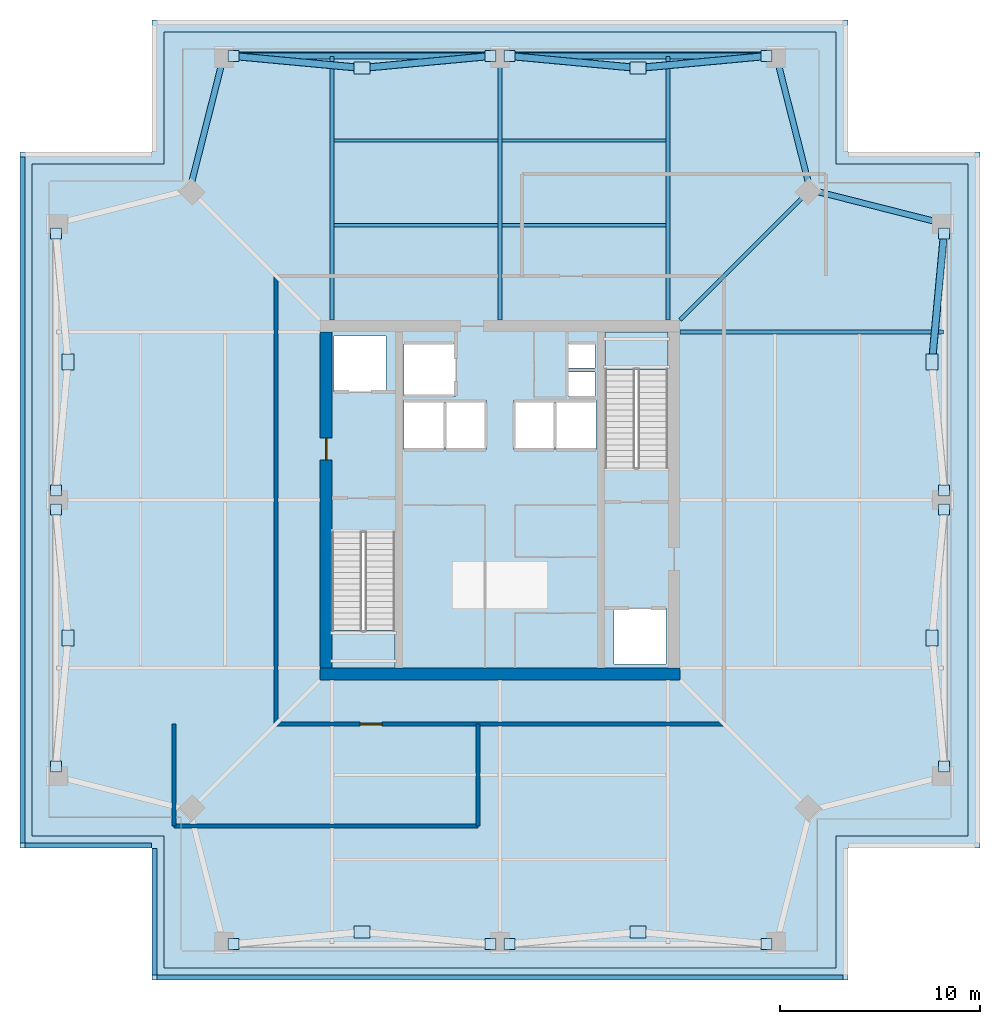
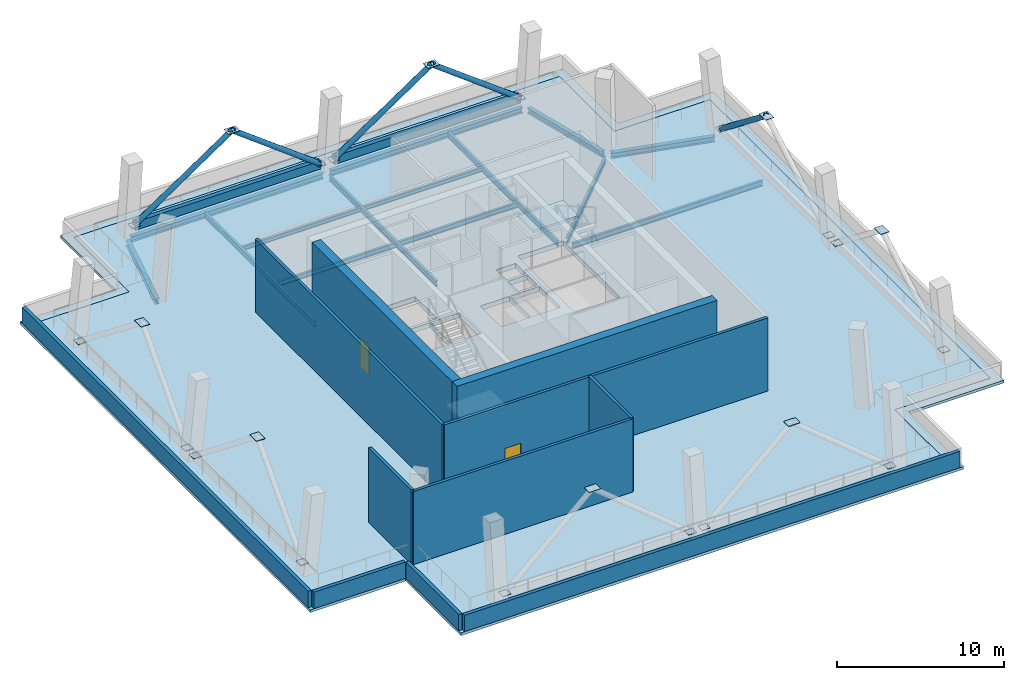
# One storey, part 2 of 7: 24 plates, 16 beams, 11 walls, 5 members, 4 slabs, 2 doors, 2 openings, 2 elements without a shape of their own.
"""IFC4 building model written with IfcOpenShell, lengths in metres."""

from ifc_helpers import new_model, si_unit, direction, frame, frame_2d, origin, origin_2d, place, context, subcontext, project, spatial, polyline, rectangle, hollow_rectangle, hollow_circle, i_section, outline, extrude, material, layer, layer_set, material_profile, profile_set, type_object, element, fill, aggregate, save


model = new_model("IFC4")

# Units and contexts
model_context = context("Model", 3, precision=1e-05, world=origin(), true_north=direction((0.0, 1.0)))
body_context = subcontext(model_context, "Body", "Model", "MODEL_VIEW")
ifc_project = project(units=[si_unit("LENGTHUNIT", "METRE"), si_unit("AREAUNIT", "SQUARE_METRE"), si_unit("VOLUMEUNIT", "CUBIC_METRE"), si_unit("PLANEANGLEUNIT", "RADIAN"), si_unit("MASSUNIT", "GRAM", prefix="KILO")], contexts=[model_context])

# Site, building, storey
site_placement = place(None, origin())
site = spatial("IfcSite", under=ifc_project, at=site_placement, CompositionType="ELEMENT")
building_placement = place(site_placement, origin())
building = spatial("IfcBuilding", under=site, at=building_placement, Name="Belovzor Exchange Tower", CompositionType="ELEMENT")
storey_placement = place(building_placement, frame((0.0, 0.0, 289.5)))
storey = spatial("IfcBuildingStorey", under=building, at=storey_placement, Name="L72", CompositionType="ELEMENT", Elevation=289.5)

# Beams
ifc_material_1 = material(Name="Steel S355", Category="steel")
ifc_material_profile_1 = material_profile(ifc_material_1, i_section(OverallWidth=0.169921875, OverallDepth=0.360107421875, WebThickness=0.008056640625, FlangeThickness=0.0126953125, at=origin_2d()))
ifc_profile_set_1 = profile_set([ifc_material_profile_1], Name="Steel S355")
beam_type_1 = type_object("IfcBeamType", Name="Secondary Infill Floor Joist IPE 360", PredefinedType="BEAM", material=ifc_profile_set_1)
beam_1_placement = place(storey_placement, frame((20.489990234375, 42.547119140625, -0.530029296875), z_axis=(1.0, 0.0, 0.0), x_axis=(0.0, 1.0, 0.0)))
element("IfcBeam", 1, at=beam_1_placement, inside=storey, type_object=beam_type_1, Name="FJ-360 Secondary Infill Floor Joist IPE 360", PredefinedType="BEAM", context=body_context, shape_type="SweptSolid", body=[
    extrude(i_section(OverallWidth=0.169921875, OverallDepth=0.360107421875, WebThickness=0.008056640625, FlangeThickness=0.0126953125, at=origin_2d()), origin(), (0.0, 0.0, 1.0), 8.219970703125),
])
beam_2_placement = place(storey_placement, frame((28.889892578125, 42.547119140625, -0.530029296875), z_axis=(1.0, 0.0, 0.0), x_axis=(0.0, 1.0, 0.0)))
element("IfcBeam", 2, at=beam_2_placement, inside=storey, type_object=beam_type_1, Name="FJ-360 Secondary Infill Floor Joist IPE 360", PredefinedType="BEAM", context=body_context, shape_type="SweptSolid", body=[
    extrude(i_section(OverallWidth=0.169921875, OverallDepth=0.360107421875, WebThickness=0.008056640625, FlangeThickness=0.0126953125, at=origin_2d()), origin(), (0.0, 0.0, 1.0), 8.22021484375),
])
ifc_material_2 = material(Name="Steel S355", Category="steel")
ifc_material_profile_2 = material_profile(ifc_material_2, i_section(OverallWidth=0.14990234375, OverallDepth=0.300048828125, WebThickness=0.007080078125, FlangeThickness=0.0107421875, at=origin_2d()))
ifc_profile_set_2 = profile_set([ifc_material_profile_2], Name="Steel S355")
beam_type_2 = type_object("IfcBeamType", Name="Secondary Trim Floor Joist IPE 300", PredefinedType="BEAM", material=ifc_profile_set_2)
beam_3_placement = place(storey_placement, frame((20.489990234375, 46.76611328125, -0.5), z_axis=(1.0, 0.0, 0.0), x_axis=(0.0, 1.0, 0.0)))
element("IfcBeam", 3, at=beam_3_placement, inside=storey, type_object=beam_type_2, Name="FJ-300 Secondary Trim Floor Joist IPE 300", PredefinedType="BEAM", context=body_context, shape_type="SweptSolid", body=[
    extrude(i_section(OverallWidth=0.14990234375, OverallDepth=0.300048828125, WebThickness=0.007080078125, FlangeThickness=0.0107421875, at=origin_2d()), origin(), (0.0, 0.0, 1.0), 8.219970703125),
])
beam_4_placement = place(storey_placement, frame((28.889892578125, 46.76611328125, -0.5), z_axis=(1.0, 0.0, 0.0), x_axis=(0.0, 1.0, 0.0)))
element("IfcBeam", 4, at=beam_4_placement, inside=storey, type_object=beam_type_2, Name="FJ-300 Secondary Trim Floor Joist IPE 300", PredefinedType="BEAM", context=body_context, shape_type="SweptSolid", body=[
    extrude(i_section(OverallWidth=0.14990234375, OverallDepth=0.300048828125, WebThickness=0.007080078125, FlangeThickness=0.0107421875, at=origin_2d()), origin(), (0.0, 0.0, 1.0), 8.22021484375),
])

# Members
ifc_material_3 = material(Name="Steel S355", Category="steel")
ifc_material_profile_3 = material_profile(ifc_material_3, hollow_circle(Radius=0.177734375, WallThickness=0.01611328125, at=origin_2d()))
ifc_profile_set_3 = profile_set([ifc_material_profile_3], Name="Steel S355")
member_type = type_object("IfcMemberType", Name="Wind Portal K-Brace Strut CHS 355.6x16", PredefinedType="BRACE", material=ifc_profile_set_3)
for number, where, z_axis, x_axis, name in (
    (5, (50.39990234375, 35.699951171875, 5.4599609375), (0.073179614077, 0.783510131676, -0.617054793066), (-0.995666579124, 0.092994963388, 0.0), "WB-355 Wind Portal K-Brace Strut CHS 355.6x16"),
    (6, (42.125, 51.0, 0.39990234375), (-0.783510131676, -0.073179614077, 0.617054793066), (0.092994963388, -0.995666579124, 0.0), "WB-355 Wind Portal K-Brace Strut CHS 355.6x16"),
    (7, (35.699951171875, 50.39990234375, 5.4599609375), (-0.783510131676, 0.073179614077, -0.617054793066), (-0.092994963388, -0.995666579124, 0.0), "WB-355 Wind Portal K-Brace Strut CHS 355.6x16"),
    (8, (28.324951171875, 51.0, 0.39990234375), (-0.783510131676, -0.073179614077, 0.617054793066), (0.092994963388, -0.995666579124, 0.0), "WB-355 Wind Portal K-Brace Strut CHS 355.6x16"),
):
    element("IfcMember", number, at=place(storey_placement, frame(where, z_axis=z_axis, x_axis=x_axis)), inside=storey, type_object=member_type, Name=name, PredefinedType="BRACE", context=body_context, shape_type="SweptSolid", body=[
        extrude(hollow_circle(Radius=0.177734375, WallThickness=0.01611328125, at=origin_2d()), origin(), (0.0, 0.0, 1.0), 8.200439453125),
    ])
member_placement = place(storey_placement, frame((21.89990234375, 50.39990234375, 5.4599609375), z_axis=(-0.783498635945, 0.073181321141, -0.617069187133), x_axis=(-0.092998466606, -0.995666251918, 0.0)))
element("IfcMember", 9, at=member_placement, inside=storey, type_object=member_type, Name="WB-355 Wind Portal K-Brace Strut CHS 355.6x16", PredefinedType="BRACE", context=body_context, shape_type="SweptSolid", body=[
    extrude(hollow_circle(Radius=0.177734375, WallThickness=0.01611328125, at=origin_2d()), origin(), (0.0, 0.0, 1.0), 8.2001953125),
])

# Beams
ifc_material_4 = material(Name="Steel S355", Category="steel")
ifc_material_profile_4 = material_profile(ifc_material_4, hollow_rectangle(XDim=0.300048828125, YDim=0.60009765625, WallThickness=0.01611328125, at=origin_2d()))
ifc_profile_set_4 = profile_set([ifc_material_profile_4], Name="Steel S355")
beam_type_3 = type_object("IfcBeamType", Name="Wind Portal Perimeter Ring Beam RHS 600x300x16", PredefinedType="BEAM", material=ifc_profile_set_4)
beam_5_placement = place(storey_placement, frame((42.125, 51.0, 0.39990234375), z_axis=(-1.0, 0.0, 0.0), x_axis=(0.0, -1.0, 0.0)))
element("IfcBeam", 10, at=beam_5_placement, inside=storey, type_object=beam_type_3, Name="WP-600 Wind Portal Perimeter Ring Beam RHS 600x300x16", PredefinedType="BEAM", context=body_context, shape_type="SweptSolid", body=[
    extrude(hollow_rectangle(XDim=0.300048828125, YDim=0.60009765625, WallThickness=0.01611328125, at=origin_2d()), origin(), (0.0, 0.0, 1.0), 12.85009765625),
])
beam_6_placement = place(storey_placement, frame((28.324951171875, 51.0, 0.39990234375), z_axis=(-1.0, 0.0, 0.0), x_axis=(0.0, -1.0, 0.0)))
element("IfcBeam", 11, at=beam_6_placement, inside=storey, type_object=beam_type_3, Name="WP-600 Wind Portal Perimeter Ring Beam RHS 600x300x16", PredefinedType="BEAM", context=body_context, shape_type="SweptSolid", body=[
    extrude(hollow_rectangle(XDim=0.300048828125, YDim=0.60009765625, WallThickness=0.01611328125, at=origin_2d()), origin(), (0.0, 0.0, 1.0), 12.849853515625),
])
ifc_material_5 = material(Name="Steel S355", Category="steel")
ifc_material_profile_5 = material_profile(ifc_material_5, i_section(OverallWidth=0.300048828125, OverallDepth=0.39990234375, WebThickness=0.013427734375, FlangeThickness=0.02392578125, at=origin_2d()))
ifc_profile_set_5 = profile_set([ifc_material_profile_5], Name="Steel S355")
beam_type_4 = type_object("IfcBeamType", Name="Zone 5 Primary Girder HEB 400", PredefinedType="BEAM", material=ifc_profile_set_5)
for number, where, z_axis, x_axis, name in (
    (12, (50.80810546875, 42.6640625, -0.550048828125), (-0.969334596595, 0.245744663916, 0.0), (-0.245744663916, -0.969334596595, 0.0), "FG-Z5 Zone 5 Primary Girder HEB 400"),
    (13, (44.2470703125, 44.56396484375, -0.550048828125), (-0.245744663916, 0.969334596595, 0.0), (-0.969334596595, -0.245744663916, 0.0), "FG-Z5 Zone 5 Primary Girder HEB 400"),
):
    element("IfcBeam", number, at=place(storey_placement, frame(where, z_axis=z_axis, x_axis=x_axis)), inside=storey, type_object=beam_type_4, Name=name, PredefinedType="BEAM", context=body_context, shape_type="SweptSolid", body=[
        extrude(i_section(OverallWidth=0.300048828125, OverallDepth=0.39990234375, WebThickness=0.013427734375, FlangeThickness=0.02392578125, at=origin_2d()), origin(), (0.0, 0.0, 1.0), 6.441650390625),
    ])
for number, where, z_axis, x_axis, name in (
    (14, (42.339111328125, 51.06103515625, -0.550048828125), (-1.0, 0.0, 0.0), (0.0, -1.0, 0.0), "FG-Z5 Zone 5 Primary Girder HEB 400"),
    (15, (28.5390625, 51.06103515625, -0.550048828125), (-1.0, 0.0, 0.0), (0.0, -1.0, 0.0), "FG-Z5 Zone 5 Primary Girder HEB 400"),
):
    element("IfcBeam", number, at=place(storey_placement, frame(where, z_axis=z_axis, x_axis=x_axis)), inside=storey, type_object=beam_type_4, Name=name, PredefinedType="BEAM", context=body_context, shape_type="SweptSolid", body=[
        extrude(i_section(OverallWidth=0.300048828125, OverallDepth=0.39990234375, WebThickness=0.013427734375, FlangeThickness=0.02392578125, at=origin_2d()), origin(), (0.0, 0.0, 1.0), 13.278076171875),
    ])
beam_7_placement = place(storey_placement, frame((14.93603515625, 50.80810546875, -0.550048828125), z_axis=(-0.245744663916, -0.969334596595, 0.0), x_axis=(0.969334596595, -0.245744663916, 0.0)))
element("IfcBeam", 16, at=beam_7_placement, inside=storey, type_object=beam_type_4, Name="FG-Z5 Zone 5 Primary Girder HEB 400", PredefinedType="BEAM", context=body_context, shape_type="SweptSolid", body=[
    extrude(i_section(OverallWidth=0.300048828125, OverallDepth=0.39990234375, WebThickness=0.013427734375, FlangeThickness=0.02392578125, at=origin_2d()), origin(), (0.0, 0.0, 1.0), 6.441650390625),
])
ifc_material_6 = material(Name="Steel S355", Category="steel")
ifc_material_profile_6 = material_profile(ifc_material_6, i_section(OverallWidth=0.179931640625, OverallDepth=0.39990234375, WebThickness=0.008544921875, FlangeThickness=0.013427734375, at=origin_2d()))
ifc_profile_set_6 = profile_set([ifc_material_profile_6], Name="Steel S355")
beam_type_5 = type_object("IfcBeamType", Name="Zone 5-6 Radial Composite Floor Beam IPE 400", PredefinedType="BEAM", material=ifc_profile_set_6)
beam_8_placement = place(storey_placement, frame((20.39990234375, 37.800048828125, -0.550048828125), z_axis=(0.0, 1.0, 0.0), x_axis=(-1.0, 0.0, 0.0)))
element("IfcBeam", 17, at=beam_8_placement, inside=storey, type_object=beam_type_5, Name="FB-400 Zone 5-6 Radial Composite Floor Beam IPE 400", PredefinedType="BEAM", context=body_context, shape_type="SweptSolid", body=[
    extrude(i_section(OverallWidth=0.179931640625, OverallDepth=0.39990234375, WebThickness=0.008544921875, FlangeThickness=0.013427734375, at=origin_2d()), origin(), (0.0, 0.0, 1.0), 13.18603515625),
])
beam_9_placement = place(storey_placement, frame((28.800048828125, 37.800048828125, -0.550048828125), z_axis=(0.0, 1.0, 0.0), x_axis=(-1.0, 0.0, 0.0)))
element("IfcBeam", 18, at=beam_9_placement, inside=storey, type_object=beam_type_5, Name="FB-400 Zone 5-6 Radial Composite Floor Beam IPE 400", PredefinedType="BEAM", context=body_context, shape_type="SweptSolid", body=[
    extrude(i_section(OverallWidth=0.179931640625, OverallDepth=0.39990234375, WebThickness=0.008544921875, FlangeThickness=0.013427734375, at=origin_2d()), origin(), (0.0, 0.0, 1.0), 12.843017578125),
])
for number, where, z_axis, x_axis, name in (
    (19, (37.199951171875, 37.800048828125, -0.550048828125), (0.0, 1.0, 0.0), (-1.0, 0.0, 0.0), "FB-400 Zone 5-6 Radial Composite Floor Beam IPE 400"),
    (20, (37.800048828125, 37.199951171875, -0.550048828125), (1.0, 0.0, 0.0), (0.0, 1.0, 0.0), "FB-400 Zone 5-6 Radial Composite Floor Beam IPE 400"),
):
    element("IfcBeam", number, at=place(storey_placement, frame(where, z_axis=z_axis, x_axis=x_axis)), inside=storey, type_object=beam_type_5, Name=name, PredefinedType="BEAM", context=body_context, shape_type="SweptSolid", body=[
        extrude(i_section(OverallWidth=0.179931640625, OverallDepth=0.39990234375, WebThickness=0.008544921875, FlangeThickness=0.013427734375, at=origin_2d()), origin(), (0.0, 0.0, 1.0), 13.18603515625),
    ])
beam_10_placement = place(storey_placement, frame((37.800048828125, 37.800048828125, -0.550048828125), z_axis=(0.707106781187, 0.707106781187, 0.0), x_axis=(-0.707106781187, 0.707106781187, 0.0)))
element("IfcBeam", 21, at=beam_10_placement, inside=storey, type_object=beam_type_5, Name="FB-400 Zone 5-6 Radial Composite Floor Beam IPE 400", PredefinedType="BEAM", context=body_context, shape_type="SweptSolid", body=[
    extrude(i_section(OverallWidth=0.179931640625, OverallDepth=0.39990234375, WebThickness=0.008544921875, FlangeThickness=0.013427734375, at=origin_2d()), origin(), (0.0, 0.0, 1.0), 8.87255859375),
])

# Plates
ifc_material_7 = material(Name="Steel S355", Category="steel")
ifc_layer_1 = layer(ifc_material_7, 0.02490234375)
ifc_layer_set_1 = layer_set([ifc_layer_1], Name="Steel S355")
plate_type_1 = type_object("IfcPlateType", Name="Belt Truss Hollow End Cap Plate 550x550x25", PredefinedType="USERDEFINED", material=ifc_layer_set_1)
for number, where, z_axis, x_axis, name in (
    (22, (15.47509765625, 6.60009765625, 0.387451171875), (0.0, 0.0, 1.0), (1.0, 0.0, 0.0), "CP-3 Belt Truss Hollow End Cap Plate 550x550x25"),
    (23, (28.324951171875, 6.60009765625, 0.387451171875), (0.0, 0.0, 1.0), (1.0, 0.0, 0.0), "CP-3 Belt Truss Hollow End Cap Plate 550x550x25"),
    (24, (29.27490234375, 6.60009765625, 0.387451171875), (0.0, 0.0, 1.0), (1.0, 0.0, 0.0), "CP-3 Belt Truss Hollow End Cap Plate 550x550x25"),
    (25, (42.125, 6.60009765625, 0.387451171875), (0.0, 0.0, 1.0), (1.0, 0.0, 0.0), "CP-3 Belt Truss Hollow End Cap Plate 550x550x25"),
    (26, (51.0, 15.47509765625, 0.387451171875), (0.0, 0.0, 1.0), (0.0, 1.0, 0.0), "CP-3 Belt Truss Hollow End Cap Plate 550x550x25"),
    (27, (51.0, 28.324951171875, 0.387451171875), (0.0, 0.0, 1.0), (0.0, 1.0, 0.0), "CP-3 Belt Truss Hollow End Cap Plate 550x550x25"),
    (28, (51.0, 29.27490234375, 0.387451171875), (0.0, 0.0, 1.0), (0.0, 1.0, 0.0), "CP-3 Belt Truss Hollow End Cap Plate 550x550x25"),
    (29, (51.0, 42.125, 0.387451171875), (0.0, 0.0, 1.0), (0.0, 1.0, 0.0), "CP-3 Belt Truss Hollow End Cap Plate 550x550x25"),
    (30, (42.125, 51.0, 0.387451171875), (0.0, 0.0, 1.0), (1.0, 0.0, 0.0), "CP-3 Belt Truss Hollow End Cap Plate 550x550x25"),
    (31, (29.27490234375, 51.0, 0.387451171875), (0.0, 0.0, 1.0), (1.0, 0.0, 0.0), "CP-3 Belt Truss Hollow End Cap Plate 550x550x25"),
    (32, (28.324951171875, 51.0, 0.387451171875), (0.0, 0.0, 1.0), (1.0, 0.0, 0.0), "CP-3 Belt Truss Hollow End Cap Plate 550x550x25"),
    (33, (15.47509765625, 51.0, 0.387451171875), (0.0, 0.0, 1.0), (1.0, 0.0, 0.0), "CP-3 Belt Truss Hollow End Cap Plate 550x550x25"),
    (34, (6.60009765625, 42.125, 0.387451171875), (0.0, 0.0, 1.0), (0.0, 1.0, 0.0), "CP-3 Belt Truss Hollow End Cap Plate 550x550x25"),
    (35, (6.60009765625, 29.27490234375, 0.387451171875), (0.0, 0.0, 1.0), (0.0, 1.0, 0.0), "CP-3 Belt Truss Hollow End Cap Plate 550x550x25"),
    (36, (6.60009765625, 28.324951171875, 0.387451171875), (0.0, 0.0, 1.0), (0.0, 1.0, 0.0), "CP-3 Belt Truss Hollow End Cap Plate 550x550x25"),
    (37, (6.60009765625, 15.47509765625, 0.387451171875), (0.0, 0.0, 1.0), (0.0, 1.0, 0.0), "CP-3 Belt Truss Hollow End Cap Plate 550x550x25"),
):
    element("IfcPlate", number, at=place(storey_placement, frame(where, z_axis=z_axis, x_axis=x_axis)), inside=storey, type_object=plate_type_1, Name=name, ObjectType="CAP_PLATE", PredefinedType="USERDEFINED", context=body_context, shape_type="SweptSolid", body=[
        extrude(rectangle(XDim=0.550048828125, YDim=0.550048828125, at=origin_2d()), origin(), (0.0, 0.0, 1.0), 0.02490234375),
    ])

# Slab
ifc_material_8 = material(Name="Concrete C50/60", Category="concrete")
ifc_layer_2 = layer(ifc_material_8, 0.35009765625)
ifc_layer_set_2 = layer_set([ifc_layer_2], Name="Concrete C50/60")
slab_type_1 = type_object("IfcSlabType", Name="Reinforced Concrete Podium Hall Floor Slab 350", PredefinedType="FLOOR", material=ifc_layer_set_2)
slab_1_placement = place(storey_placement, frame((0.0, 0.0, -0.35009765625)))
element("IfcSlab", 38, at=slab_1_placement, inside=storey, type_object=slab_type_1, Name="SL-F350 Structural Slab L72", PredefinedType="FLOOR", context=body_context, shape_type="SweptSolid", body=[
    extrude(outline(polyline([(12.0, 5.39990234375), (45.60009765625, 5.39990234375), (45.60009765625, 12.0), (52.199951171875, 12.0), (52.199951171875, 45.60009765625), (45.60009765625, 45.60009765625), (45.60009765625, 52.199951171875), (12.0, 52.199951171875), (12.0, 45.60009765625), (5.39990234375, 45.60009765625), (5.39990234375, 12.0), (12.0, 12.0), (12.0, 5.39990234375)]), holes=[polyline([(20.39990234375, 27.175048828125), (20.39990234375, 20.39990234375), (23.550048828125, 20.39990234375), (23.550048828125, 27.175048828125), (20.39990234375, 27.175048828125)]), polyline([(37.199951171875, 30.425048828125), (37.199951171875, 37.199951171875), (34.050048828125, 37.199951171875), (34.050048828125, 30.425048828125), (37.199951171875, 30.425048828125)]), polyline([(20.5, 34.199951171875), (23.10009765625, 34.199951171875), (23.10009765625, 37.0), (20.5, 37.0), (20.5, 34.199951171875)]), polyline([(34.5, 20.60009765625), (37.10009765625, 20.60009765625), (37.10009765625, 23.39990234375), (34.5, 23.39990234375), (34.5, 20.60009765625)]), polyline([(24.0, 34.0), (26.60009765625, 34.0), (26.60009765625, 36.60009765625), (24.0, 36.60009765625), (24.0, 34.0)]), polyline([(24.0, 31.300048828125), (26.0, 31.300048828125), (26.0, 33.800048828125), (24.0, 33.800048828125), (24.0, 31.300048828125)]), polyline([(26.10009765625, 31.300048828125), (28.10009765625, 31.300048828125), (28.10009765625, 33.800048828125), (26.10009765625, 33.800048828125), (26.10009765625, 31.300048828125)]), polyline([(29.5, 31.300048828125), (31.5, 31.300048828125), (31.5, 33.800048828125), (29.5, 33.800048828125), (29.5, 31.300048828125)]), polyline([(31.60009765625, 31.300048828125), (33.60009765625, 31.300048828125), (33.60009765625, 33.800048828125), (31.60009765625, 33.800048828125), (31.60009765625, 31.300048828125)]), polyline([(32.199951171875, 34.0), (33.550048828125, 34.0), (33.550048828125, 35.199951171875), (32.199951171875, 35.199951171875), (32.199951171875, 34.0)]), polyline([(32.199951171875, 35.39990234375), (33.550048828125, 35.39990234375), (33.550048828125, 36.60009765625), (32.199951171875, 36.60009765625), (32.199951171875, 35.39990234375)])]), origin(), (0.0, 0.0, 1.0), 0.35009765625),
])

# Stair, slab
ifc_material_9 = material(Name="Concrete C40/50", Category="concrete")
stair_type = type_object("IfcStairType", Name="Reinforced Concrete Dogleg Escape Stair 1350", PredefinedType="HALF_TURN_STAIR", material=ifc_material_9)
stair_1_placement = place(storey_placement, origin())
stair_1 = element("IfcStair", 39, at=stair_1_placement, inside=storey, type_object=stair_type, Name="L72 ST-1", PredefinedType="HALF_TURN_STAIR")
ifc_material_10 = material(Name="Concrete C40/50", Category="concrete")
ifc_layer_3 = layer(ifc_material_10, 0.199951171875)
ifc_layer_set_3 = layer_set([ifc_layer_3], Name="Concrete C40/50")
slab_type_2 = type_object("IfcSlabType", Name="Reinforced Concrete Stair Half-Landing Slab 200", PredefinedType="LANDING", material=ifc_layer_set_3)
slab_2_placement = place(storey_placement, frame((0.0, 0.0, 2.800048828125)))
slab_2 = element("IfcSlab", 40, at=slab_2_placement, type_object=slab_type_2, Name="ST-1 landing 1", PredefinedType="LANDING", context=body_context, shape_type="SweptSolid", body=[
    extrude(outline(polyline([(20.39990234375, 22.27001953125), (20.39990234375, 20.39990234375), (23.550048828125, 20.39990234375), (23.550048828125, 22.27001953125), (20.39990234375, 22.27001953125)])), origin(), (0.0, 0.0, 1.0), 0.199951171875),
])
aggregate(stair_1, [slab_2])

stair_2_placement = place(storey_placement, origin())
stair_2 = element("IfcStair", 41, at=stair_2_placement, inside=storey, type_object=stair_type, Name="L72 ST-2", PredefinedType="HALF_TURN_STAIR")
slab_3_placement = place(storey_placement, frame((0.0, 0.0, 2.800048828125)))
slab_3 = element("IfcSlab", 42, at=slab_3_placement, type_object=slab_type_2, Name="ST-2 landing 1", PredefinedType="LANDING", context=body_context, shape_type="SweptSolid", body=[
    extrude(outline(polyline([(37.199951171875, 35.330078125), (37.199951171875, 37.199951171875), (34.050048828125, 37.199951171875), (34.050048828125, 35.330078125), (37.199951171875, 35.330078125)])), origin(), (0.0, 0.0, 1.0), 0.199951171875),
])
aggregate(stair_2, [slab_3])

# Slab
ifc_material_11 = material(Name="Concrete C40/50", Category="concrete")
ifc_layer_4 = layer(ifc_material_11, 0.199951171875)
ifc_layer_set_4 = layer_set([ifc_layer_4], Name="Concrete C40/50")
slab_type_3 = type_object("IfcSlabType", Name="Setback Weathering Roof Ring Slab 200", PredefinedType="ROOF", material=ifc_layer_set_4)
slab_4_placement = place(storey_placement, frame((0.0, 0.0, -0.199951171875)))
element("IfcSlab", 43, at=slab_4_placement, inside=storey, type_object=slab_type_3, Name="SL-RF200A Setback Weathering Roof Ring L71", PredefinedType="ROOF", context=body_context, shape_type="SweptSolid", body=[
    extrude(outline(polyline([(11.39990234375, 4.800048828125), (46.199951171875, 4.800048828125), (46.199951171875, 11.39990234375), (52.800048828125, 11.39990234375), (52.800048828125, 46.199951171875), (46.199951171875, 46.199951171875), (46.199951171875, 52.800048828125), (11.39990234375, 52.800048828125), (11.39990234375, 46.199951171875), (4.800048828125, 46.199951171875), (4.800048828125, 11.39990234375), (11.39990234375, 11.39990234375), (11.39990234375, 4.800048828125)]), holes=[polyline([(12.0, 5.39990234375), (45.60009765625, 5.39990234375), (45.60009765625, 12.0), (52.199951171875, 12.0), (52.199951171875, 45.60009765625), (45.60009765625, 45.60009765625), (45.60009765625, 52.199951171875), (12.0, 52.199951171875), (12.0, 45.60009765625), (5.39990234375, 45.60009765625), (5.39990234375, 12.0), (12.0, 12.0), (12.0, 5.39990234375)])]), origin(), (0.0, 0.0, 1.0), 0.199951171875),
])

# Plates
ifc_material_12 = material(Name="Steel S355", Category="steel")
ifc_layer_5 = layer(ifc_material_12, 0.028076171875)
ifc_layer_set_5 = layer_set([ifc_layer_5], Name="Steel S355")
plate_type_2 = type_object("IfcPlateType", Name="Wind Portal Frame Gusset Plate 800x600x28", PredefinedType="SHEET", material=ifc_layer_set_5)
for number, where, z_axis, x_axis, name in (
    (44, (21.89990234375, 7.199951171875, 5.44580078125), (0.0, 0.0, 1.0), (1.0, 0.0, 0.0), "KN-4 Wind Portal Frame Gusset Plate 800x600x28"),
    (45, (35.699951171875, 7.199951171875, 5.44580078125), (0.0, 0.0, 1.0), (1.0, 0.0, 0.0), "KN-4 Wind Portal Frame Gusset Plate 800x600x28"),
    (46, (50.39990234375, 21.89990234375, 5.44580078125), (0.0, 0.0, 1.0), (0.0, 1.0, 0.0), "KN-4 Wind Portal Frame Gusset Plate 800x600x28"),
    (47, (50.39990234375, 35.699951171875, 5.44580078125), (0.0, 0.0, 1.0), (0.0, 1.0, 0.0), "KN-4 Wind Portal Frame Gusset Plate 800x600x28"),
    (48, (35.699951171875, 50.39990234375, 5.44580078125), (0.0, 0.0, 1.0), (1.0, 0.0, 0.0), "KN-4 Wind Portal Frame Gusset Plate 800x600x28"),
    (49, (21.89990234375, 50.39990234375, 5.44580078125), (0.0, 0.0, 1.0), (1.0, 0.0, 0.0), "KN-4 Wind Portal Frame Gusset Plate 800x600x28"),
    (50, (7.199951171875, 35.699951171875, 5.44580078125), (0.0, 0.0, 1.0), (0.0, 1.0, 0.0), "KN-4 Wind Portal Frame Gusset Plate 800x600x28"),
    (51, (7.199951171875, 21.89990234375, 5.44580078125), (0.0, 0.0, 1.0), (0.0, 1.0, 0.0), "KN-4 Wind Portal Frame Gusset Plate 800x600x28"),
):
    element("IfcPlate", number, at=place(storey_placement, frame(where, z_axis=z_axis, x_axis=x_axis)), inside=storey, type_object=plate_type_2, Name=name, PredefinedType="SHEET", context=body_context, shape_type="SweptSolid", body=[
        extrude(rectangle(XDim=0.800048828125, YDim=0.60009765625, at=origin_2d()), origin(), (0.0, 0.0, 1.0), 0.028076171875),
    ])

# Walls
ifc_material_13 = material(Name="Precast concrete C40/50", Category="concrete")
ifc_layer_6 = layer(ifc_material_13, 0.239990234375)
ifc_layer_set_6 = layer_set([ifc_layer_6], Name="Precast concrete C40/50")
wall_type_1 = type_object("IfcWallType", Name="Precast Stone Setback Roof Parapet Wall 240", PredefinedType="PARAPET", material=ifc_layer_set_6)
for number, where, z_axis, x_axis, name in (
    (52, (11.655029296875, 4.919921875, 0.0), (0.0, 0.0, 1.0), (1.0, 0.0, 0.0), "W-PAR240 Precast Stone Setback Roof Parapet Wall 240 L72"),
    (53, (4.919921875, 45.945068359375, 0.0), (0.0, 0.0, 1.0), (0.0, -1.0, 0.0), "W-PAR240 Precast Stone Setback Roof Parapet Wall 240 L72"),
):
    element("IfcWall", number, at=place(storey_placement, frame(where, z_axis=z_axis, x_axis=x_axis)), inside=storey, type_object=wall_type_1, Name=name, PredefinedType="PARAPET", context=body_context, shape_type="SweptSolid", body=[
        extrude(rectangle(XDim=34.2900390625, YDim=0.239990234375, at=frame_2d((17.14501953125, 0.0))), origin(), (0.0, 0.0, 1.0), 1.199951171875),
    ])
for number, where, z_axis, x_axis, name in (
    (54, (5.054931640625, 11.52001953125, 0.0), (0.0, 0.0, 1.0), (1.0, 0.0, 0.0), "W-PAR240 Precast Stone Setback Roof Parapet Wall 240 L72"),
    (55, (11.52001953125, 11.385009765625, 0.0), (0.0, 0.0, 1.0), (0.0, -1.0, 0.0), "W-PAR240 Precast Stone Setback Roof Parapet Wall 240 L72"),
):
    element("IfcWall", number, at=place(storey_placement, frame(where, z_axis=z_axis, x_axis=x_axis)), inside=storey, type_object=wall_type_1, Name=name, PredefinedType="PARAPET", context=body_context, shape_type="SweptSolid", body=[
        extrude(rectangle(XDim=6.330078125, YDim=0.239990234375, at=frame_2d((3.1650390625, 0.0))), origin(), (0.0, 0.0, 1.0), 1.199951171875),
    ])

# Wall, opening, door
ifc_material_14 = material(Name="Concrete C40/50", Category="concrete")
ifc_layer_7 = layer(ifc_material_14, 0.199951171875)
ifc_layer_set_7 = layer_set([ifc_layer_7], Name="Concrete C40/50")
wall_type_2 = type_object("IfcWallType", Name="Reinforced Concrete Compartment Wall 200", PredefinedType="PARTITIONING", material=ifc_layer_set_7)
wall_1_placement = place(storey_placement, frame((17.60009765625, 17.60009765625, 0.0), z_axis=(0.0, 0.0, 1.0), x_axis=(1.0, 0.0, 0.0)))
wall_1 = element("IfcWall", 56, at=wall_1_placement, inside=storey, type_object=wall_type_2, Name="W-C200 Partition Wall W-L72-PCS", PredefinedType="PARTITIONING", context=body_context, shape_type="SweptSolid", body=[
    extrude(rectangle(XDim=22.39990234375, YDim=0.199951171875, at=frame_2d((11.199951171875, 0.0))), origin(), (0.0, 0.0, 1.0), 5.344970703125),
])
opening_1_placement = place(wall_1_placement, frame((4.199951171875, 0.0, 0.0)))
opening_1 = element("IfcOpeningElement", 57, at=opening_1_placement, cuts=wall_1, Name="Opening D-FD90-110", PredefinedType="OPENING", context=body_context, shape_type="SweptSolid", body=[
    extrude(rectangle(XDim=1.10009765625, YDim=2.14990234375, at=frame_2d((0.550048828125, 1.074951171875))), frame((0.0, 0.10986328125, 0.0), z_axis=(0.0, -1.0, 0.0), x_axis=(1.0, 0.0, 0.0)), (0.0, 0.0, 1.0), 0.219970703125),
])
ifc_material_15 = material(Name="Fire-Rated Galvanised Steel Leaf", Category="steel")
door_type = type_object("IfcDoorType", Name="Protected Escape Vestibule Fire Door 1100x2150", OperationType="NOTDEFINED", PredefinedType="DOOR", material=ifc_material_15)
door_1_placement = place(opening_1_placement, origin())
door_1 = element("IfcDoor", 58, at=door_1_placement, inside=storey, type_object=door_type, Name="D-FD90-110 Protected Escape Vestibule Fire Door 1100x2150", OperationType="SINGLE_SWING_LEFT", OverallHeight=2.14990234375, OverallWidth=1.10009765625, PredefinedType="DOOR", context=body_context, shape_type="SweptSolid", body=[
    extrude(rectangle(XDim=1.10009765625, YDim=2.14990234375, at=frame_2d((0.550048828125, 1.074951171875))), frame((0.0, 0.02490234375, 0.0), z_axis=(0.0, -1.0, 0.0), x_axis=(1.0, 0.0, 0.0)), (0.0, 0.0, 1.0), 0.050048828125),
])
fill(opening_1, door_1)

# Walls
wall_2_placement = place(storey_placement, frame((17.60009765625, 17.60009765625, 0.0), z_axis=(0.0, 0.0, 1.0), x_axis=(0.0, 1.0, 0.0)))
element("IfcWall", 59, at=wall_2_placement, inside=storey, type_object=wall_type_2, Name="W-C200 Partition Wall W-L72-PCW", PredefinedType="PARTITIONING", context=body_context, shape_type="SweptSolid", body=[
    extrude(rectangle(XDim=22.39990234375, YDim=0.199951171875, at=frame_2d((11.199951171875, 0.0))), origin(), (0.0, 0.0, 1.0), 5.344970703125),
])
wall_3_placement = place(storey_placement, frame((12.5, 12.5, 0.0), z_axis=(0.0, 0.0, 1.0), x_axis=(0.0, 1.0, 0.0)))
element("IfcWall", 60, at=wall_3_placement, inside=storey, type_object=wall_type_2, Name="W-C200 Partition Wall W-L72-Q1W", PredefinedType="PARTITIONING", context=body_context, shape_type="SweptSolid", body=[
    extrude(rectangle(XDim=5.10009765625, YDim=0.199951171875, at=frame_2d((2.550048828125, 0.0))), origin(), (0.0, 0.0, 1.0), 5.445068359375),
])
wall_4_placement = place(storey_placement, frame((12.5, 12.5, 0.0), z_axis=(0.0, 0.0, 1.0), x_axis=(1.0, 0.0, 0.0)))
element("IfcWall", 61, at=wall_4_placement, inside=storey, type_object=wall_type_2, Name="W-C200 Partition Wall W-L72-Q1S", PredefinedType="PARTITIONING", context=body_context, shape_type="SweptSolid", body=[
    extrude(rectangle(XDim=15.199951171875, YDim=0.199951171875, at=frame_2d((7.60009765625, 0.0))), origin(), (0.0, 0.0, 1.0), 5.344970703125),
])
wall_5_placement = place(storey_placement, frame((27.699951171875, 12.5, 0.0), z_axis=(0.0, 0.0, 1.0), x_axis=(0.0, 1.0, 0.0)))
element("IfcWall", 62, at=wall_5_placement, inside=storey, type_object=wall_type_2, Name="W-C200 Partition Wall W-L72-Q1E", PredefinedType="PARTITIONING", context=body_context, shape_type="SweptSolid", body=[
    extrude(rectangle(XDim=5.10009765625, YDim=0.199951171875, at=frame_2d((2.550048828125, 0.0))), origin(), (0.0, 0.0, 1.0), 5.385009765625),
])
ifc_material_16 = material(Name="Concrete C50/60", Category="concrete")
ifc_layer_8 = layer(ifc_material_16, 0.60009765625)
ifc_layer_set_8 = layer_set([ifc_layer_8], Name="Concrete C50/60")
wall_type_3 = type_object("IfcWallType", Name="Reinforced Concrete Core Shear Wall 600", PredefinedType="SHEAR", material=ifc_layer_set_8)
wall_6_placement = place(storey_placement, frame((19.800048828125, 20.10009765625, 0.0), z_axis=(0.0, 0.0, 1.0), x_axis=(1.0, 0.0, 0.0)))
element("IfcWall", 63, at=wall_6_placement, inside=storey, type_object=wall_type_3, Name="CW-S060 Core Shear Wall L72 S", PredefinedType="SHEAR", context=body_context, shape_type="SweptSolid", body=[
    extrude(rectangle(XDim=18.0, YDim=0.60009765625, at=frame_2d((9.0, 0.0))), origin(), (0.0, 0.0, 1.0), 6.0),
])

# Wall, opening, door
wall_7_placement = place(storey_placement, frame((20.10009765625, 20.39990234375, 0.0), z_axis=(0.0, 0.0, 1.0), x_axis=(0.0, 1.0, 0.0)))
wall_7 = element("IfcWall", 64, at=wall_7_placement, inside=storey, type_object=wall_type_3, Name="CW-S060 Core Shear Wall L72 W", PredefinedType="SHEAR", context=body_context, shape_type="SweptSolid", body=[
    extrude(rectangle(XDim=16.800048828125, YDim=0.60009765625, at=frame_2d((8.39990234375, 0.0))), origin(), (0.0, 0.0, 1.0), 6.0),
])
opening_2_placement = place(wall_7_placement, frame((10.39990234375, 0.0, 0.0)))
opening_2 = element("IfcOpeningElement", 65, at=opening_2_placement, cuts=wall_7, Name="Opening D-FD90-110", PredefinedType="OPENING", context=body_context, shape_type="SweptSolid", body=[
    extrude(rectangle(XDim=1.10009765625, YDim=2.14990234375, at=frame_2d((0.550048828125, 1.074951171875))), frame((0.0, 0.31005859375, 0.0), z_axis=(0.0, -1.0, 0.0), x_axis=(1.0, 0.0, 0.0)), (0.0, 0.0, 1.0), 0.6201171875),
])
door_2_placement = place(opening_2_placement, origin())
door_2 = element("IfcDoor", 66, at=door_2_placement, inside=storey, type_object=door_type, Name="D-FD90-110 Protected Escape Vestibule Fire Door 1100x2150", OperationType="SINGLE_SWING_LEFT", OverallHeight=2.14990234375, OverallWidth=1.10009765625, PredefinedType="DOOR", context=body_context, shape_type="SweptSolid", body=[
    extrude(rectangle(XDim=1.10009765625, YDim=2.14990234375, at=frame_2d((0.550048828125, 1.074951171875))), frame((0.0, 0.02490234375, 0.0), z_axis=(0.0, -1.0, 0.0), x_axis=(1.0, 0.0, 0.0)), (0.0, 0.0, 1.0), 0.050048828125),
])
fill(opening_2, door_2)

save(model, "model.ifc")
